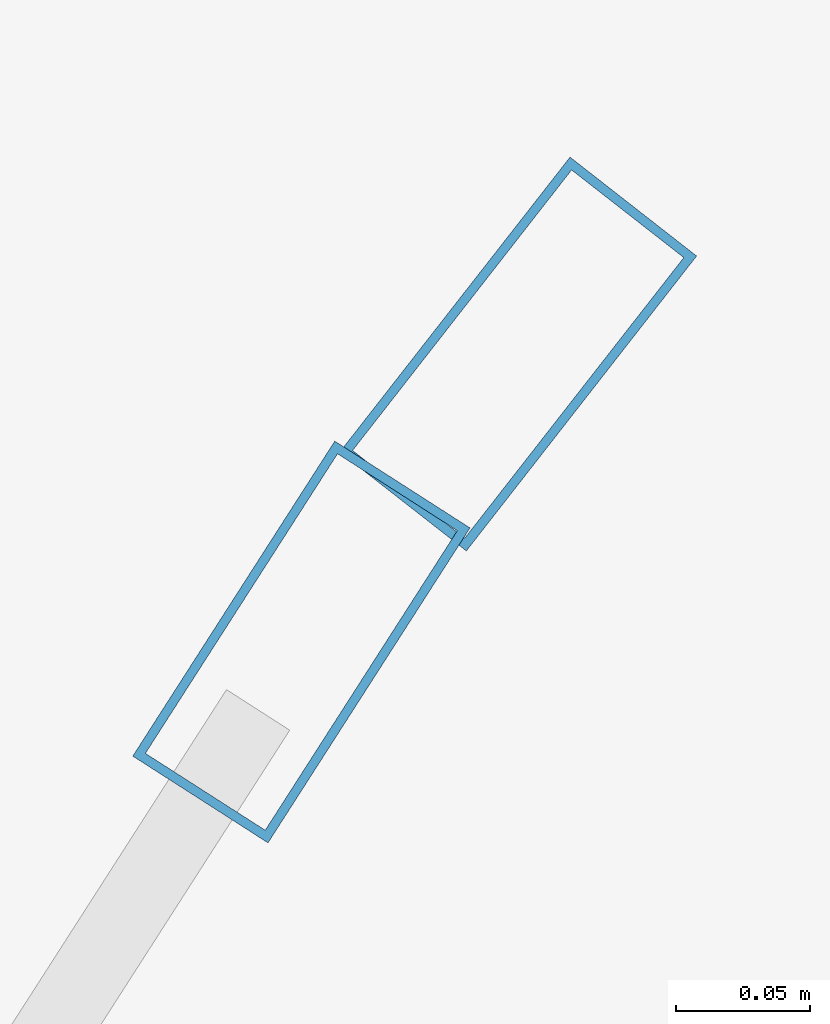
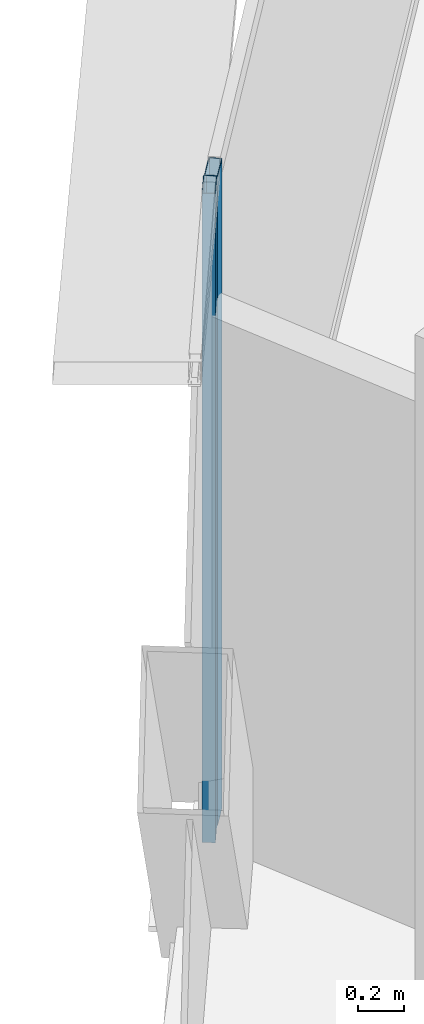
# One storey, part 19 of 37: 2 members, 2 elements without a shape of their own.
"""IFC4 building model written with IfcOpenShell, lengths in metres."""

from ifc_helpers import new_model, si_unit, direction, frame, origin, origin_2d, place, context, subcontext, project, spatial, hollow_rectangle, extrude, source, transform, mapped, material, layer, layer_set, material_profile, profile_set, type_object, element, aggregate, save


model = new_model("IFC4")

# Units and contexts
model_context = context("Model", 3, precision=1e-05, world=origin(), true_north=direction((0.0, 1.0)))
body_context = subcontext(model_context, "Body", "Model", "MODEL_VIEW")
ifc_project = project(units=[si_unit("LENGTHUNIT", "METRE"), si_unit("AREAUNIT", "SQUARE_METRE"), si_unit("VOLUMEUNIT", "CUBIC_METRE"), si_unit("PLANEANGLEUNIT", "RADIAN"), si_unit("MASSUNIT", "GRAM", prefix="KILO"), si_unit("THERMODYNAMICTEMPERATUREUNIT", "KELVIN"), si_unit("POWERUNIT", "WATT")], contexts=[model_context])

# Site, building, storey
site_placement = place(None, origin())
site = spatial("IfcSite", under=ifc_project, at=site_placement, CompositionType="ELEMENT")
building_placement = place(site_placement, origin())
building = spatial("IfcBuilding", under=site, at=building_placement, Name="Yunzhuo Pagoda Commons", CompositionType="ELEMENT")
storey_placement = place(building_placement, frame((0.0, 0.0, 255.719970703125)))
storey = spatial("IfcBuildingStorey", under=building, at=storey_placement, Name="L64", CompositionType="ELEMENT", Elevation=255.719970703125)

# Curtain wall, member
ifc_material = material(Name="Anodized aluminium 6063-T6", Category="aluminium")
ifc_layer = layer(ifc_material, 0.139892578125)
ifc_layer_set = layer_set([ifc_layer], Name="Anodized aluminium 6063-T6")
curtain_wall_type = type_object("IfcCurtainWallType", Name="CW-HI High-Zone Ribbon Curtain Wall", PredefinedType="NOTDEFINED", material=ifc_layer_set)
curtain_wall_1_placement = place(storey_placement, origin())
curtain_wall_1 = element("IfcCurtainWall", 1, at=curtain_wall_1_placement, inside=storey, type_object=curtain_wall_type, Name="L64 curtain wall CW-L64-F3B2", PredefinedType="NOTDEFINED")
ifc_material_profile = material_profile(ifc_material, hollow_rectangle(XDim=0.06005859375, YDim=0.139892578125, WallThickness=0.00341796875, at=origin_2d()), Name="Anodized aluminium 6063-T6")
ifc_profile_set = profile_set([ifc_material_profile], Name="Anodized aluminium 6063-T6")
member_type = type_object("IfcMemberType", Name="CW-HI-M Mullion RHS 140x60x3.5", PredefinedType="MULLION", material=ifc_profile_set)
shared_shape = source(origin(), body_context, "Body", "SweptSolid", [
    extrude(hollow_rectangle(XDim=0.06005859375, YDim=0.139892578125, WallThickness=0.00341796875, at=origin_2d()), origin(), (0.0, 0.0, 1.0), 3.469970703125),
])
member_1_placement = place(storey_placement, frame((33.826904296875, 65.4716796875, 0.0), z_axis=(0.0, 0.0, 1.0), x_axis=(0.841750083847, -0.539867387738, 0.0)))
member_1 = element("IfcMember", 2, at=member_1_placement, type_object=member_type, Name="CW mullion 1", PredefinedType="MULLION", context=body_context, shape_type="MappedRepresentation", body=[
    mapped(shared_shape, transform((0.0, 0.0, 0.0), scale=1.0)),
])
aggregate(curtain_wall_1, [member_1])

curtain_wall_2_placement = place(storey_placement, origin())
curtain_wall_2 = element("IfcCurtainWall", 3, at=curtain_wall_2_placement, inside=storey, type_object=curtain_wall_type, Name="L64 curtain wall CW-L64-F3B1", PredefinedType="NOTDEFINED")
member_2_placement = place(storey_placement, frame((33.907958984375, 65.579345703125, 0.0), z_axis=(0.0, 0.0, 1.0), x_axis=(0.788189580024, -0.615432519405, 0.0)))
member_2 = element("IfcMember", 4, at=member_2_placement, type_object=member_type, Name="CW mullion 2", PredefinedType="MULLION", context=body_context, shape_type="MappedRepresentation", body=[
    mapped(shared_shape, transform((0.0, 0.0, 0.0), scale=1.0)),
])
aggregate(curtain_wall_2, [member_2])

save(model, "model.ifc")
